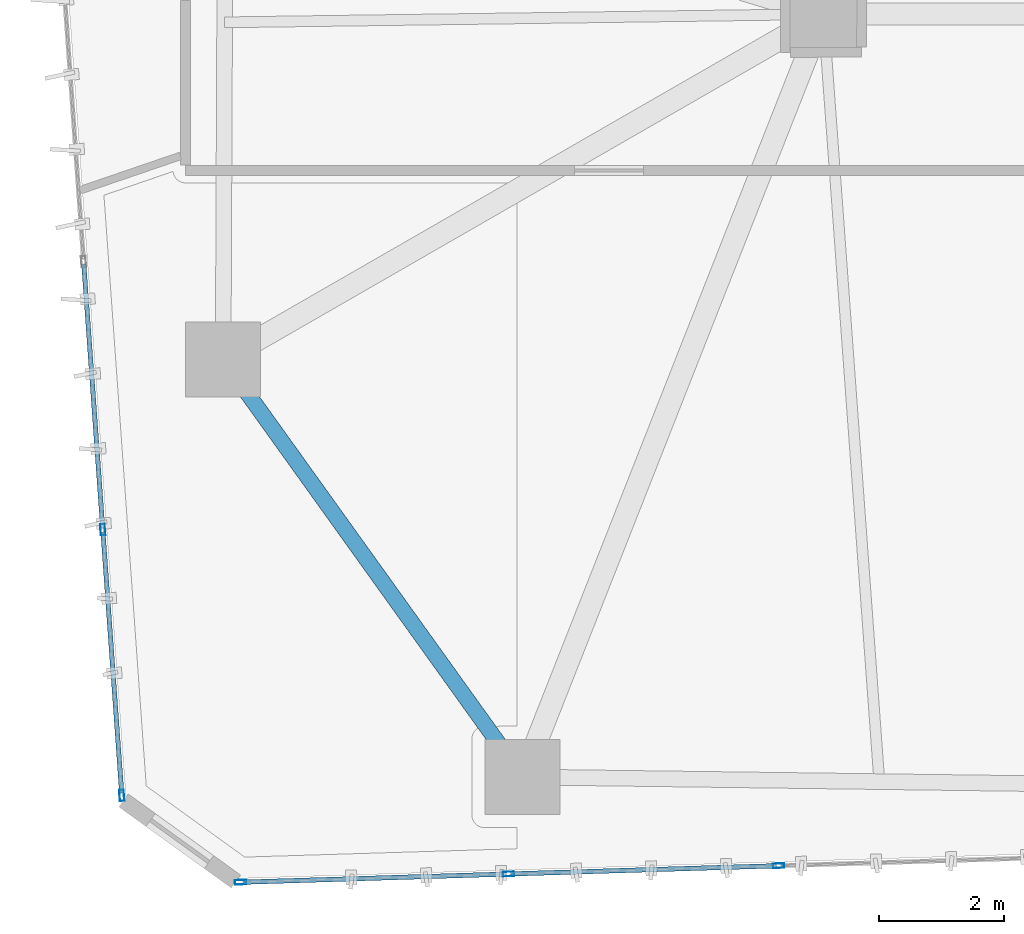
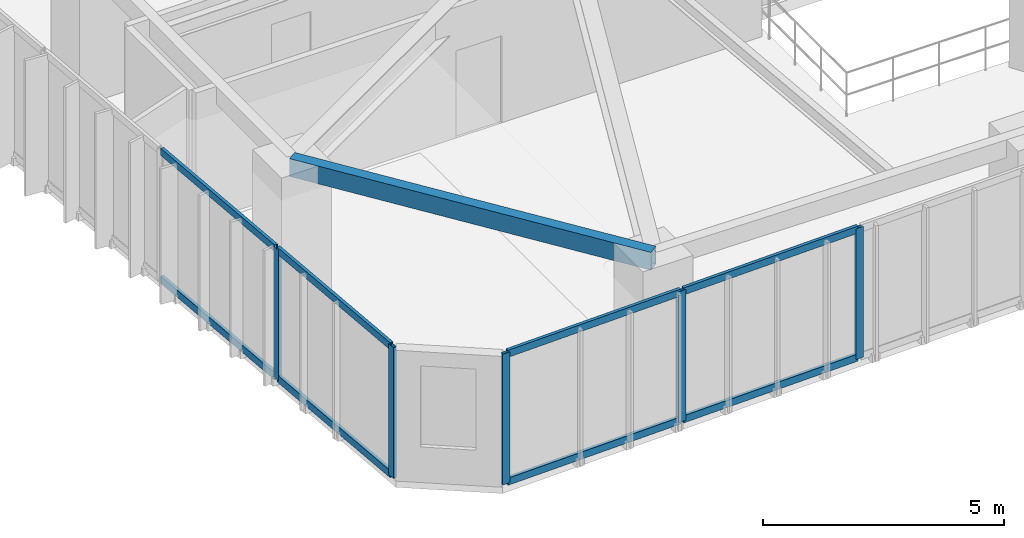
# One storey, part 2 of 23: 13 members, 1 beam, 2 elements without a shape of their own.
"""IFC4 building model written with IfcOpenShell, lengths in metres."""

from ifc_helpers import new_model, si_unit, direction, frame, origin, origin_2d, place, context, subcontext, project, spatial, hollow_rectangle, extrude, source, transform, mapped, material, layer, layer_set, material_profile, profile_set, type_object, type_shapes, element, aggregate, save


model = new_model("IFC4")

# Units and contexts
model_context = context("Model", 3, precision=1e-05, world=origin(), true_north=direction((0.0, 1.0)))
body_context = subcontext(model_context, "Body", "Model", "MODEL_VIEW")
ifc_project = project(units=[si_unit("LENGTHUNIT", "METRE"), si_unit("AREAUNIT", "SQUARE_METRE"), si_unit("VOLUMEUNIT", "CUBIC_METRE"), si_unit("PLANEANGLEUNIT", "RADIAN"), si_unit("MASSUNIT", "GRAM", prefix="KILO")], contexts=[model_context])

# Site, building, storey
site_placement = place(None, origin())
site = spatial("IfcSite", under=ifc_project, at=site_placement, CompositionType="ELEMENT")
building_placement = place(site_placement, origin())
building = spatial("IfcBuilding", under=site, at=building_placement, Name="Talar Marvaseh", CompositionType="ELEMENT")
storey_placement = place(building_placement, frame((0.0, 0.0, 96.60009765625)))
storey = spatial("IfcBuildingStorey", under=building, at=storey_placement, Name="L24", CompositionType="ELEMENT", Elevation=96.60009765625)

# Beam
ifc_material_1 = material(Name="Steel S355", Category="steel")
ifc_material_profile_1 = material_profile(ifc_material_1, hollow_rectangle(XDim=0.25, YDim=0.449951171875, WallThickness=0.01611328125, at=origin_2d()), Name="RHS450x250x16")
ifc_profile_set_1 = profile_set([ifc_material_profile_1], Name="Steel S355")
beam_type = type_object("IfcBeamType", Name="Zone 2 Perimeter Spandrel Beam RHS450x250x16", PredefinedType="SPANDREL", material=ifc_profile_set_1)
beam_placement = place(storey_placement, frame((13.89111328125, 13.299072265625, 3.0849609375), z_axis=(-0.582852871994, 0.812577706812, 0.0), x_axis=(-0.812577706812, -0.582852871994, 0.0)))
element("IfcBeam", 1, at=beam_placement, inside=storey, type_object=beam_type, Name="L24 Zone 2 Perimeter Spandrel Beam RHS450x250x16", PredefinedType="SPANDREL", context=body_context, shape_type="SweptSolid", body=[
    extrude(hollow_rectangle(XDim=0.25, YDim=0.449951171875, WallThickness=0.01611328125, at=origin_2d()), origin(), (0.0, 0.0, 1.0), 8.21826171875),
])

# Curtain wall, members
ifc_material_2 = material(Name="Architectural Aluminium", Category="aluminium")
ifc_layer = layer(ifc_material_2, 0.199951171875)
ifc_layer_set = layer_set([ifc_layer], Name="Architectural Aluminium")
curtain_wall_type = type_object("IfcCurtainWallType", Name="Unitised Acoustic Library Curtain Wall Z2", PredefinedType="NOTDEFINED", material=ifc_layer_set)
curtain_wall_1_placement = place(storey_placement, origin())
curtain_wall_1 = element("IfcCurtainWall", 2, at=curtain_wall_1_placement, inside=storey, type_object=curtain_wall_type, Name="L24 Unitised Acoustic Library Curtain Wall Z2", PredefinedType="NOTDEFINED")
ifc_material_profile_2 = material_profile(ifc_material_2, hollow_rectangle(XDim=0.074951171875, YDim=0.179931640625, WallThickness=0.0048828125, at=origin_2d()), Name="RHS180x75x5")
ifc_profile_set_2 = profile_set([ifc_material_profile_2], Name="Architectural Aluminium")
member_type_1 = type_object("IfcMemberType", Name="Unitised Curtain Wall Transom RHS180x75x5", PredefinedType="USERDEFINED", material=ifc_profile_set_2)
shared_shape_1 = source(origin(), body_context, "Body", "SweptSolid", [
    extrude(hollow_rectangle(XDim=0.074951171875, YDim=0.179931640625, WallThickness=0.0048828125, at=origin_2d()), origin(), (0.0, 0.0, 1.0), 4.185302734375),
])
member_1_placement = place(storey_placement, frame((7.47802734375, 13.04248046875, 0.037353515625), z_axis=(-0.071458470112, 0.997443575872, 0.0), x_axis=(-0.997443575872, -0.071458470112, 0.0)))
member_1 = element("IfcMember", 3, at=member_1_placement, type_object=member_type_1, Name="CW-Z2 transom 1.1", ObjectType="TRANSOM", PredefinedType="USERDEFINED", context=body_context, shape_type="MappedRepresentation", body=[
    mapped(shared_shape_1, transform((0.0, 0.0, 0.0), x_axis=(1.0, 0.0, 0.0), y_axis=(0.0, 1.0, 0.0), z_axis=(0.0, 0.0, 1.0), scale=1.0)),
])
member_2_placement = place(storey_placement, frame((7.47802734375, 13.04248046875, 3.2724609375), z_axis=(-0.071458470112, 0.997443575872, 0.0), x_axis=(-0.997443575872, -0.071458470112, 0.0)))
member_2 = element("IfcMember", 4, at=member_2_placement, type_object=member_type_1, Name="CW-Z2 transom 1.2", ObjectType="TRANSOM", PredefinedType="USERDEFINED", context=body_context, shape_type="MappedRepresentation", body=[
    mapped(shared_shape_1, transform((0.0, 0.0, 0.0), x_axis=(1.0, 0.0, 0.0), y_axis=(0.0, 1.0, 0.0), z_axis=(0.0, 0.0, 1.0), scale=1.0)),
])
shared_shape_2 = source(origin(), body_context, "Body", "SweptSolid", [
    extrude(hollow_rectangle(XDim=0.074951171875, YDim=0.179931640625, WallThickness=0.0048828125, at=origin_2d()), origin(), (0.0, 0.0, 1.0), 4.222900390625),
])
member_3_placement = place(storey_placement, frame((7.173583984375, 17.2919921875, 0.037353515625), z_axis=(-0.071399065091, 0.997447829966, 0.0), x_axis=(-0.997447829966, -0.071399065091, 0.0)))
member_3 = element("IfcMember", 5, at=member_3_placement, type_object=member_type_1, Name="CW-Z2 transom 2.1", ObjectType="TRANSOM", PredefinedType="USERDEFINED", context=body_context, shape_type="MappedRepresentation", body=[
    mapped(shared_shape_2, transform((0.0, 0.0, 0.0), x_axis=(1.0, 0.0, 0.0), y_axis=(0.0, 1.0, 0.0), z_axis=(0.0, 0.0, 1.0), scale=1.0)),
])
member_4_placement = place(storey_placement, frame((7.173583984375, 17.2919921875, 3.2724609375), z_axis=(-0.071399065091, 0.997447829966, 0.0), x_axis=(-0.997447829966, -0.071399065091, 0.0)))
member_4 = element("IfcMember", 6, at=member_4_placement, type_object=member_type_1, Name="CW-Z2 transom 2.2", ObjectType="TRANSOM", PredefinedType="USERDEFINED", context=body_context, shape_type="MappedRepresentation", body=[
    mapped(shared_shape_2, transform((0.0, 0.0, 0.0), x_axis=(1.0, 0.0, 0.0), y_axis=(0.0, 1.0, 0.0), z_axis=(0.0, 0.0, 1.0), scale=1.0)),
])

curtain_wall_2_placement = place(storey_placement, origin())
curtain_wall_2 = element("IfcCurtainWall", 7, at=curtain_wall_2_placement, inside=storey, type_object=curtain_wall_type, Name="L24 Unitised Acoustic Library Curtain Wall Z2", PredefinedType="NOTDEFINED")
shared_shape_3 = source(origin(), body_context, "Body", "SweptSolid", [
    extrude(hollow_rectangle(XDim=0.074951171875, YDim=0.179931640625, WallThickness=0.0048828125, at=origin_2d()), origin(), (0.0, 0.0, 1.0), 4.24853515625),
])
member_5_placement = place(storey_placement, frame((17.94775390625, 11.87890625, 0.037353515625), z_axis=(-0.999529080444, -0.030685784118, 0.0), x_axis=(0.030685784118, -0.999529080444, 0.0)))
member_5 = element("IfcMember", 8, at=member_5_placement, type_object=member_type_1, Name="CW-Z2 transom 4.1", ObjectType="TRANSOM", PredefinedType="USERDEFINED", context=body_context, shape_type="MappedRepresentation", body=[
    mapped(shared_shape_3, transform((0.0, 0.0, 0.0), x_axis=(1.0, 0.0, 0.0), y_axis=(0.0, 1.0, 0.0), z_axis=(0.0, 0.0, 1.0), scale=1.0)),
])
member_6_placement = place(storey_placement, frame((17.94775390625, 11.87890625, 3.2724609375), z_axis=(-0.999529080444, -0.030685784118, 0.0), x_axis=(0.030685784118, -0.999529080444, 0.0)))
member_6 = element("IfcMember", 9, at=member_6_placement, type_object=member_type_1, Name="CW-Z2 transom 4.2", ObjectType="TRANSOM", PredefinedType="USERDEFINED", context=body_context, shape_type="MappedRepresentation", body=[
    mapped(shared_shape_3, transform((0.0, 0.0, 0.0), x_axis=(1.0, 0.0, 0.0), y_axis=(0.0, 1.0, 0.0), z_axis=(0.0, 0.0, 1.0), scale=1.0)),
])
shared_shape_4 = source(origin(), body_context, "Body", "SweptSolid", [
    extrude(hollow_rectangle(XDim=0.074951171875, YDim=0.179931640625, WallThickness=0.0048828125, at=origin_2d()), origin(), (0.0, 0.0, 1.0), 4.2109375),
])
type_shapes(member_type_1, [shared_shape_1, shared_shape_2, shared_shape_3, shared_shape_4])
member_7_placement = place(storey_placement, frame((13.626220703125, 11.74609375, 0.037353515625), z_axis=(-0.999529564291, -0.030670019693, 0.0), x_axis=(0.030670019693, -0.999529564291, 0.0)))
member_7 = element("IfcMember", 10, at=member_7_placement, type_object=member_type_1, Name="CW-Z2 transom 5.1", ObjectType="TRANSOM", PredefinedType="USERDEFINED", context=body_context, shape_type="MappedRepresentation", body=[
    mapped(shared_shape_4, transform((0.0, 0.0, 0.0), x_axis=(1.0, 0.0, 0.0), y_axis=(0.0, 1.0, 0.0), z_axis=(0.0, 0.0, 1.0), scale=1.0)),
])
member_8_placement = place(storey_placement, frame((13.626220703125, 11.74609375, 3.2724609375), z_axis=(-0.999529564291, -0.030670019693, 0.0), x_axis=(0.030670019693, -0.999529564291, 0.0)))
member_8 = element("IfcMember", 11, at=member_8_placement, type_object=member_type_1, Name="CW-Z2 transom 5.2", ObjectType="TRANSOM", PredefinedType="USERDEFINED", context=body_context, shape_type="MappedRepresentation", body=[
    mapped(shared_shape_4, transform((0.0, 0.0, 0.0), x_axis=(1.0, 0.0, 0.0), y_axis=(0.0, 1.0, 0.0), z_axis=(0.0, 0.0, 1.0), scale=1.0)),
])

# Member
ifc_material_profile_3 = material_profile(ifc_material_2, hollow_rectangle(XDim=0.074951171875, YDim=0.179931640625, WallThickness=0.0048828125, at=origin_2d()), Name="RHS180x75x5")
ifc_profile_set_3 = profile_set([ifc_material_profile_3], Name="Architectural Aluminium")
member_type_2 = type_object("IfcMemberType", Name="Unitised Curtain Wall Standard Mullion RHS180x75x5", PredefinedType="MULLION", material=ifc_profile_set_3)
shared_shape_5 = source(origin(), body_context, "Body", "SweptSolid", [
    extrude(hollow_rectangle(XDim=0.074951171875, YDim=0.179931640625, WallThickness=0.0048828125, at=origin_2d()), origin(), (0.0, 0.0, 1.0), 3.309814453125),
])
type_shapes(member_type_2, [shared_shape_5])
member_9_placement = place(storey_placement, frame((7.480712890625, 13.0048828125, 0.0), z_axis=(0.0, 0.0, 1.0), x_axis=(-0.997445602626, -0.071430174316, 0.0)))
member_9 = element("IfcMember", 12, at=member_9_placement, type_object=member_type_2, Name="CW-Z2 mullion 1", PredefinedType="MULLION", context=body_context, shape_type="MappedRepresentation", body=[
    mapped(shared_shape_5, transform((0.0, 0.0, 0.0), x_axis=(1.0, 0.0, 0.0), y_axis=(0.0, 1.0, 0.0), z_axis=(0.0, 0.0, 1.0), scale=1.0)),
])

member_10_placement = place(storey_placement, frame((7.17626953125, 17.254638671875, 0.0), z_axis=(0.0, 0.0, 1.0), x_axis=(-0.997445602626, -0.071430174316, 0.0)))
member_10 = element("IfcMember", 13, at=member_10_placement, type_object=member_type_2, Name="CW-Z2 mullion 2", PredefinedType="MULLION", context=body_context, shape_type="MappedRepresentation", body=[
    mapped(shared_shape_5, transform((0.0, 0.0, 0.0), x_axis=(1.0, 0.0, 0.0), y_axis=(0.0, 1.0, 0.0), z_axis=(0.0, 0.0, 1.0), scale=1.0)),
])

aggregate(curtain_wall_1, [member_9, member_10, member_1, member_2, member_3, member_4])

member_11_placement = place(storey_placement, frame((17.985107421875, 11.8798828125, 0.0), z_axis=(0.0, 0.0, 1.0), x_axis=(0.030692605579, -0.999528871, 0.0)))
member_11 = element("IfcMember", 14, at=member_11_placement, type_object=member_type_2, Name="CW-Z2 mullion 4", PredefinedType="MULLION", context=body_context, shape_type="MappedRepresentation", body=[
    mapped(shared_shape_5, transform((0.0, 0.0, 0.0), x_axis=(1.0, 0.0, 0.0), y_axis=(0.0, 1.0, 0.0), z_axis=(0.0, 0.0, 1.0), scale=1.0)),
])

member_12_placement = place(storey_placement, frame((13.66357421875, 11.747314453125, 0.0), z_axis=(0.0, 0.0, 1.0), x_axis=(0.030692605579, -0.999528871, 0.0)))
member_12 = element("IfcMember", 15, at=member_12_placement, type_object=member_type_2, Name="CW-Z2 mullion 5", PredefinedType="MULLION", context=body_context, shape_type="MappedRepresentation", body=[
    mapped(shared_shape_5, transform((0.0, 0.0, 0.0), x_axis=(1.0, 0.0, 0.0), y_axis=(0.0, 1.0, 0.0), z_axis=(0.0, 0.0, 1.0), scale=1.0)),
])

member_13_placement = place(storey_placement, frame((9.379638671875, 11.61572265625, 0.0), z_axis=(0.0, 0.0, 1.0), x_axis=(0.030692605579, -0.999528871, 0.0)))
member_13 = element("IfcMember", 16, at=member_13_placement, type_object=member_type_2, Name="CW-Z2 mullion 6", PredefinedType="MULLION", context=body_context, shape_type="MappedRepresentation", body=[
    mapped(shared_shape_5, transform((0.0, 0.0, 0.0), x_axis=(1.0, 0.0, 0.0), y_axis=(0.0, 1.0, 0.0), z_axis=(0.0, 0.0, 1.0), scale=1.0)),
])

aggregate(curtain_wall_2, [member_11, member_12, member_13, member_5, member_6, member_7, member_8])

save(model, "model.ifc")
